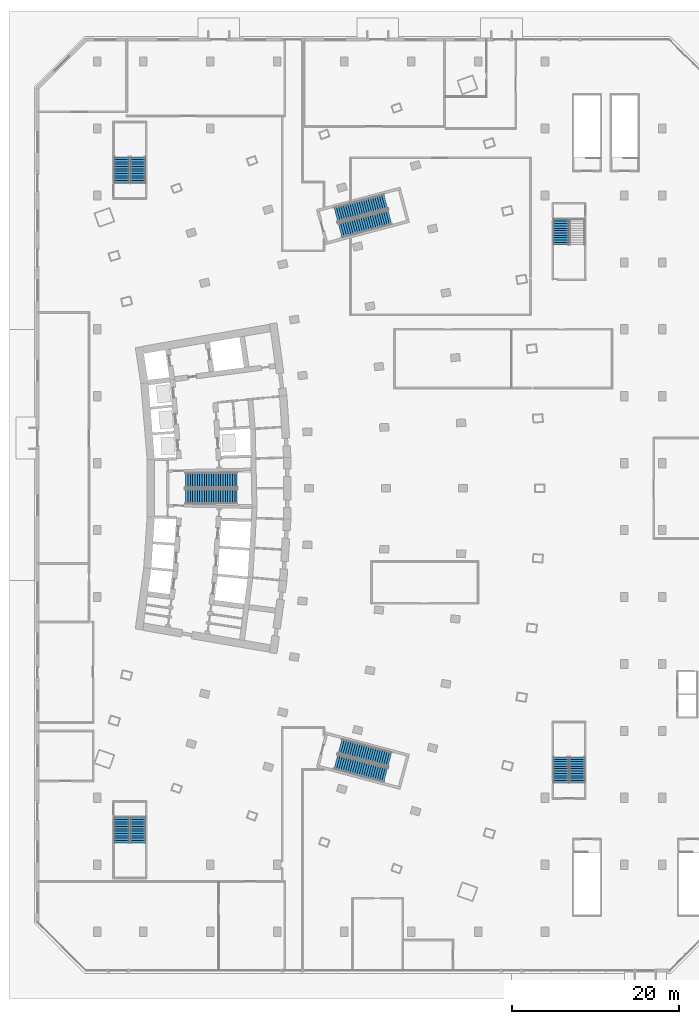
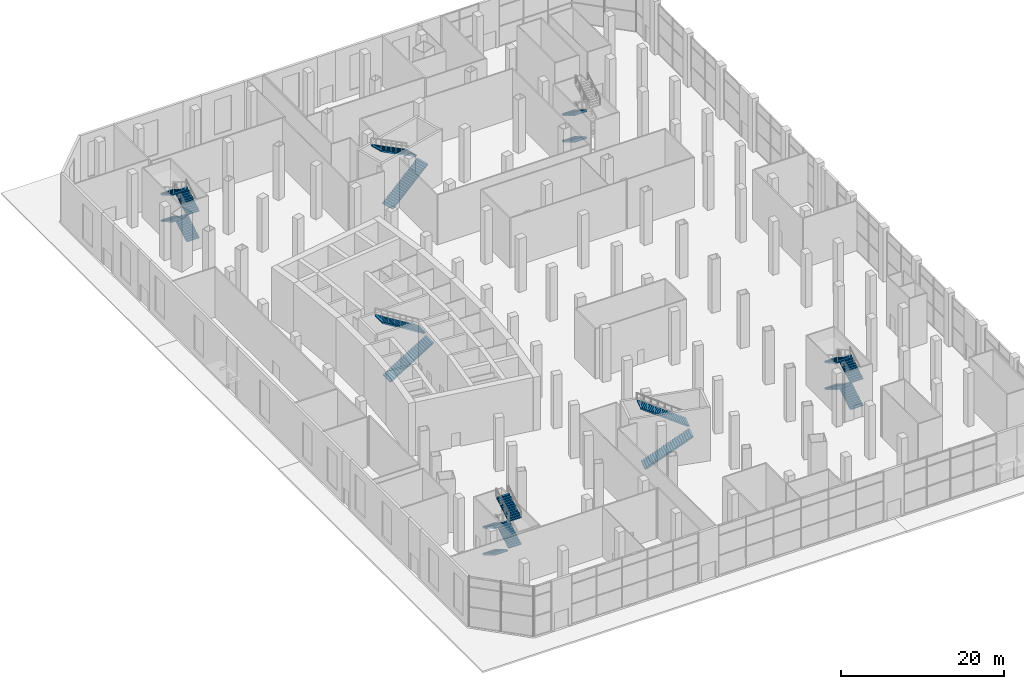
# One storey, part 21 of 33: 20 stair flights, 7 elements without a shape of their own.
"""IFC4 building model written with IfcOpenShell, lengths in metres."""

from ifc_helpers import new_model, si_unit, direction, frame, origin, place, context, subcontext, project, spatial, polyline, outline, extrude, material, layer, layer_set, type_object, element, aggregate, save


model = new_model("IFC4")

# Units and contexts
model_context = context("Model", 3, precision=1e-05, world=origin(), true_north=direction((0.0, 1.0)))
body_context = subcontext(model_context, "Body", "Model", "MODEL_VIEW")
ifc_project = project(units=[si_unit("LENGTHUNIT", "METRE"), si_unit("AREAUNIT", "SQUARE_METRE"), si_unit("VOLUMEUNIT", "CUBIC_METRE"), si_unit("PLANEANGLEUNIT", "RADIAN"), si_unit("MASSUNIT", "GRAM", prefix="KILO")], contexts=[model_context])

# Site, building, storey
site_placement = place(None, origin())
site = spatial("IfcSite", under=ifc_project, at=site_placement, CompositionType="ELEMENT")
building_placement = place(site_placement, origin())
building = spatial("IfcBuilding", under=site, at=building_placement, Name="Alderwake Tower", CompositionType="ELEMENT")
storey_placement = place(building_placement, origin())
storey = spatial("IfcBuildingStorey", under=building, at=storey_placement, Name="L00", CompositionType="ELEMENT", Elevation=0.0)

# Stair, stair flights
ifc_material_1 = material(Name="Concrete C40/50", Category="concrete")
stair_type_1 = type_object("IfcStairType", Name="Core exit stair", PredefinedType="HALF_TURN_STAIR", material=ifc_material_1)
stair_1_placement = place(storey_placement, origin())
stair_1 = element("IfcStair", 1, at=stair_1_placement, inside=storey, type_object=stair_type_1, Name="L00 Exit Stair B", PredefinedType="HALF_TURN_STAIR")
ifc_material_2 = material(Name="Concrete C40/50", Category="concrete")
ifc_layer = layer(ifc_material_2, 0.14990234375)
ifc_layer_set = layer_set([ifc_layer], Name="Core stair flight")
stair_flight_type = type_object("IfcStairFlightType", Name="Core stair flight", PredefinedType="STRAIGHT", material=ifc_layer_set)
stair_flight_1_placement = place(storey_placement, frame((21.0400390625, 60.02490234375, 0.0), z_axis=(0.0, 0.0, 1.0), x_axis=(1.0, 0.0, 0.0)))
stair_flight_1 = element("IfcStairFlight", 2, at=stair_flight_1_placement, type_object=stair_flight_type, Name="ST-B flight 1", NumberOfRisers=23, NumberOfTreads=22, PredefinedType="STRAIGHT", RiserHeight=0.173913043, TreadLength=0.28, context=body_context, shape_type="SweptSolid", body=[
    extrude(outline(polyline([(0.0, 0.0), (0.0, 0.173828125), (0.280029296875, 0.173828125), (0.280029296875, 0.347900390625), (0.56005859375, 0.347900390625), (0.56005859375, 0.521728515625), (0.840087890625, 0.521728515625), (0.840087890625, 0.695556640625), (1.1201171875, 0.695556640625), (1.1201171875, 0.86962890625), (1.39990234375, 0.86962890625), (1.39990234375, 1.04345703125), (1.679931640625, 1.04345703125), (1.679931640625, 1.21728515625), (1.9599609375, 1.21728515625), (1.9599609375, 1.391357421875), (2.239990234375, 1.391357421875), (2.239990234375, 1.565185546875), (2.52001953125, 1.565185546875), (2.52001953125, 1.739013671875), (2.800048828125, 1.739013671875), (2.800048828125, 1.9130859375), (3.080078125, 1.9130859375), (3.080078125, 2.0869140625), (3.360107421875, 2.0869140625), (3.360107421875, 2.260986328125), (3.639892578125, 2.260986328125), (3.639892578125, 2.434814453125), (3.919921875, 2.434814453125), (3.919921875, 2.608642578125), (4.199951171875, 2.608642578125), (4.199951171875, 2.78271484375), (4.47998046875, 2.78271484375), (4.47998046875, 2.95654296875), (4.760009765625, 2.95654296875), (4.760009765625, 3.13037109375), (5.0400390625, 3.13037109375), (5.0400390625, 3.304443359375), (5.320068359375, 3.304443359375), (5.320068359375, 3.478271484375), (5.60009765625, 3.478271484375), (5.60009765625, 3.652099609375), (5.8798828125, 3.652099609375), (5.8798828125, 3.826171875), (6.159912109375, 3.826171875), (6.159912109375, 4.0), (6.159912109375, 3.649658203125), (0.2841796875, 0.0), (0.0, 0.0)])), frame((0.0, 0.89990234375, 0.0), z_axis=(0.0, -1.0, 0.0), x_axis=(1.0, 0.0, 0.0)), (0.0, 0.0, 1.0), 1.800048828125),
])
stair_flight_2_placement = place(storey_placement, frame((27.199951171875, 61.97509765625, 4.0), z_axis=(0.0, 0.0, 1.0), x_axis=(-1.0, 0.0, 0.0)))
stair_flight_2 = element("IfcStairFlight", 3, at=stair_flight_2_placement, type_object=stair_flight_type, Name="ST-B flight 2", NumberOfRisers=23, NumberOfTreads=22, PredefinedType="STRAIGHT", RiserHeight=0.173913043, TreadLength=0.28, context=body_context, shape_type="SweptSolid", body=[
    extrude(outline(polyline([(0.0, 0.0), (0.0, 0.173828125), (0.280029296875, 0.173828125), (0.280029296875, 0.347900390625), (0.56005859375, 0.347900390625), (0.56005859375, 0.521728515625), (0.840087890625, 0.521728515625), (0.840087890625, 0.695556640625), (1.1201171875, 0.695556640625), (1.1201171875, 0.86962890625), (1.39990234375, 0.86962890625), (1.39990234375, 1.04345703125), (1.679931640625, 1.04345703125), (1.679931640625, 1.21728515625), (1.9599609375, 1.21728515625), (1.9599609375, 1.391357421875), (2.239990234375, 1.391357421875), (2.239990234375, 1.565185546875), (2.52001953125, 1.565185546875), (2.52001953125, 1.739013671875), (2.800048828125, 1.739013671875), (2.800048828125, 1.9130859375), (3.080078125, 1.9130859375), (3.080078125, 2.0869140625), (3.360107421875, 2.0869140625), (3.360107421875, 2.260986328125), (3.639892578125, 2.260986328125), (3.639892578125, 2.434814453125), (3.919921875, 2.434814453125), (3.919921875, 2.608642578125), (4.199951171875, 2.608642578125), (4.199951171875, 2.78271484375), (4.47998046875, 2.78271484375), (4.47998046875, 2.95654296875), (4.760009765625, 2.95654296875), (4.760009765625, 3.13037109375), (5.0400390625, 3.13037109375), (5.0400390625, 3.304443359375), (5.320068359375, 3.304443359375), (5.320068359375, 3.478271484375), (5.60009765625, 3.478271484375), (5.60009765625, 3.652099609375), (5.8798828125, 3.652099609375), (5.8798828125, 3.826171875), (6.159912109375, 3.826171875), (6.159912109375, 4.0), (6.159912109375, 3.649658203125), (0.2841796875, 0.0), (0.0, 0.0)])), frame((0.0, 0.89990234375, 0.0), z_axis=(0.0, -1.0, 0.0), x_axis=(1.0, 0.0, 0.0)), (0.0, 0.0, 1.0), 1.800048828125),
])
aggregate(stair_1, [stair_flight_1, stair_flight_2])

stair_2_placement = place(storey_placement, origin())
stair_2 = element("IfcStair", 4, at=stair_2_placement, inside=storey, type_object=stair_type_1, Name="L00 Exit Stair A", PredefinedType="HALF_TURN_STAIR")
stair_flight_3_placement = place(storey_placement, frame((39.512939453125, 91.823974609375, 0.0), z_axis=(0.0, 0.0, 1.0), x_axis=(0.966309627437, 0.257382407951, 0.0)))
stair_flight_3 = element("IfcStairFlight", 5, at=stair_flight_3_placement, type_object=stair_flight_type, Name="ST-A flight 1", NumberOfRisers=23, NumberOfTreads=22, PredefinedType="STRAIGHT", RiserHeight=0.173913043, TreadLength=0.28, context=body_context, shape_type="SweptSolid", body=[
    extrude(outline(polyline([(0.0, 0.0), (0.0, 0.173828125), (0.280029296875, 0.173828125), (0.280029296875, 0.347900390625), (0.56005859375, 0.347900390625), (0.56005859375, 0.521728515625), (0.840087890625, 0.521728515625), (0.840087890625, 0.695556640625), (1.1201171875, 0.695556640625), (1.1201171875, 0.86962890625), (1.39990234375, 0.86962890625), (1.39990234375, 1.04345703125), (1.679931640625, 1.04345703125), (1.679931640625, 1.21728515625), (1.9599609375, 1.21728515625), (1.9599609375, 1.391357421875), (2.239990234375, 1.391357421875), (2.239990234375, 1.565185546875), (2.52001953125, 1.565185546875), (2.52001953125, 1.739013671875), (2.800048828125, 1.739013671875), (2.800048828125, 1.9130859375), (3.080078125, 1.9130859375), (3.080078125, 2.0869140625), (3.360107421875, 2.0869140625), (3.360107421875, 2.260986328125), (3.639892578125, 2.260986328125), (3.639892578125, 2.434814453125), (3.919921875, 2.434814453125), (3.919921875, 2.608642578125), (4.199951171875, 2.608642578125), (4.199951171875, 2.78271484375), (4.47998046875, 2.78271484375), (4.47998046875, 2.95654296875), (4.760009765625, 2.95654296875), (4.760009765625, 3.13037109375), (5.0400390625, 3.13037109375), (5.0400390625, 3.304443359375), (5.320068359375, 3.304443359375), (5.320068359375, 3.478271484375), (5.60009765625, 3.478271484375), (5.60009765625, 3.652099609375), (5.8798828125, 3.652099609375), (5.8798828125, 3.826171875), (6.159912109375, 3.826171875), (6.159912109375, 4.0), (6.159912109375, 3.649658203125), (0.2841796875, 0.0), (0.0, 0.0)])), frame((0.0, 0.89990234375, 0.0), z_axis=(0.0, -1.0, 0.0), x_axis=(1.0, 0.0, 0.0)), (0.0, 0.0, 1.0), 1.800048828125),
])
stair_flight_4_placement = place(storey_placement, frame((44.96337890625, 95.293701171875, 4.0), z_axis=(0.0, 0.0, 1.0), x_axis=(-0.966309627437, -0.257382407951, 0.0)))
stair_flight_4 = element("IfcStairFlight", 6, at=stair_flight_4_placement, type_object=stair_flight_type, Name="ST-A flight 2", NumberOfRisers=23, NumberOfTreads=22, PredefinedType="STRAIGHT", RiserHeight=0.173913043, TreadLength=0.28, context=body_context, shape_type="SweptSolid", body=[
    extrude(outline(polyline([(0.0, 0.0), (0.0, 0.173828125), (0.280029296875, 0.173828125), (0.280029296875, 0.347900390625), (0.56005859375, 0.347900390625), (0.56005859375, 0.521728515625), (0.840087890625, 0.521728515625), (0.840087890625, 0.695556640625), (1.1201171875, 0.695556640625), (1.1201171875, 0.86962890625), (1.39990234375, 0.86962890625), (1.39990234375, 1.04345703125), (1.679931640625, 1.04345703125), (1.679931640625, 1.21728515625), (1.9599609375, 1.21728515625), (1.9599609375, 1.391357421875), (2.239990234375, 1.391357421875), (2.239990234375, 1.565185546875), (2.52001953125, 1.565185546875), (2.52001953125, 1.739013671875), (2.800048828125, 1.739013671875), (2.800048828125, 1.9130859375), (3.080078125, 1.9130859375), (3.080078125, 2.0869140625), (3.360107421875, 2.0869140625), (3.360107421875, 2.260986328125), (3.639892578125, 2.260986328125), (3.639892578125, 2.434814453125), (3.919921875, 2.434814453125), (3.919921875, 2.608642578125), (4.199951171875, 2.608642578125), (4.199951171875, 2.78271484375), (4.47998046875, 2.78271484375), (4.47998046875, 2.95654296875), (4.760009765625, 2.95654296875), (4.760009765625, 3.13037109375), (5.0400390625, 3.13037109375), (5.0400390625, 3.304443359375), (5.320068359375, 3.304443359375), (5.320068359375, 3.478271484375), (5.60009765625, 3.478271484375), (5.60009765625, 3.652099609375), (5.8798828125, 3.652099609375), (5.8798828125, 3.826171875), (6.159912109375, 3.826171875), (6.159912109375, 4.0), (6.159912109375, 3.649658203125), (0.2841796875, 0.0), (0.0, 0.0)])), frame((0.0, 0.89990234375, 0.0), z_axis=(0.0, -1.0, 0.0), x_axis=(1.0, 0.0, 0.0)), (0.0, 0.0, 1.0), 1.800048828125),
])
aggregate(stair_2, [stair_flight_3, stair_flight_4])

stair_3_placement = place(storey_placement, origin())
stair_3 = element("IfcStair", 7, at=stair_3_placement, inside=storey, type_object=stair_type_1, Name="L00 Exit Stair C", PredefinedType="HALF_TURN_STAIR")
stair_flight_5_placement = place(storey_placement, frame((39.010986328125, 28.291748046875, 0.0), z_axis=(0.0, 0.0, 1.0), x_axis=(0.966309627437, -0.257382407951, 0.0)))
stair_flight_5 = element("IfcStairFlight", 8, at=stair_flight_5_placement, type_object=stair_flight_type, Name="ST-C flight 1", NumberOfRisers=23, NumberOfTreads=22, PredefinedType="STRAIGHT", RiserHeight=0.173913043, TreadLength=0.28, context=body_context, shape_type="SweptSolid", body=[
    extrude(outline(polyline([(0.0, 0.0), (0.0, 0.173828125), (0.280029296875, 0.173828125), (0.280029296875, 0.347900390625), (0.56005859375, 0.347900390625), (0.56005859375, 0.521728515625), (0.840087890625, 0.521728515625), (0.840087890625, 0.695556640625), (1.1201171875, 0.695556640625), (1.1201171875, 0.86962890625), (1.39990234375, 0.86962890625), (1.39990234375, 1.04345703125), (1.679931640625, 1.04345703125), (1.679931640625, 1.21728515625), (1.9599609375, 1.21728515625), (1.9599609375, 1.391357421875), (2.239990234375, 1.391357421875), (2.239990234375, 1.565185546875), (2.52001953125, 1.565185546875), (2.52001953125, 1.739013671875), (2.800048828125, 1.739013671875), (2.800048828125, 1.9130859375), (3.080078125, 1.9130859375), (3.080078125, 2.0869140625), (3.360107421875, 2.0869140625), (3.360107421875, 2.260986328125), (3.639892578125, 2.260986328125), (3.639892578125, 2.434814453125), (3.919921875, 2.434814453125), (3.919921875, 2.608642578125), (4.199951171875, 2.608642578125), (4.199951171875, 2.78271484375), (4.47998046875, 2.78271484375), (4.47998046875, 2.95654296875), (4.760009765625, 2.95654296875), (4.760009765625, 3.13037109375), (5.0400390625, 3.13037109375), (5.0400390625, 3.304443359375), (5.320068359375, 3.304443359375), (5.320068359375, 3.478271484375), (5.60009765625, 3.478271484375), (5.60009765625, 3.652099609375), (5.8798828125, 3.652099609375), (5.8798828125, 3.826171875), (6.159912109375, 3.826171875), (6.159912109375, 4.0), (6.159912109375, 3.649658203125), (0.2841796875, 0.0), (0.0, 0.0)])), frame((0.0, 0.89990234375, 0.0), z_axis=(0.0, -1.0, 0.0), x_axis=(1.0, 0.0, 0.0)), (0.0, 0.0, 1.0), 1.800048828125),
])
stair_flight_6_placement = place(storey_placement, frame((45.46533203125, 28.590576171875, 4.0), z_axis=(0.0, 0.0, 1.0), x_axis=(-0.966309627437, 0.257382407951, 0.0)))
stair_flight_6 = element("IfcStairFlight", 9, at=stair_flight_6_placement, type_object=stair_flight_type, Name="ST-C flight 2", NumberOfRisers=23, NumberOfTreads=22, PredefinedType="STRAIGHT", RiserHeight=0.173913043, TreadLength=0.28, context=body_context, shape_type="SweptSolid", body=[
    extrude(outline(polyline([(0.0, 0.0), (0.0, 0.173828125), (0.280029296875, 0.173828125), (0.280029296875, 0.347900390625), (0.56005859375, 0.347900390625), (0.56005859375, 0.521728515625), (0.840087890625, 0.521728515625), (0.840087890625, 0.695556640625), (1.1201171875, 0.695556640625), (1.1201171875, 0.86962890625), (1.39990234375, 0.86962890625), (1.39990234375, 1.04345703125), (1.679931640625, 1.04345703125), (1.679931640625, 1.21728515625), (1.9599609375, 1.21728515625), (1.9599609375, 1.391357421875), (2.239990234375, 1.391357421875), (2.239990234375, 1.565185546875), (2.52001953125, 1.565185546875), (2.52001953125, 1.739013671875), (2.800048828125, 1.739013671875), (2.800048828125, 1.9130859375), (3.080078125, 1.9130859375), (3.080078125, 2.0869140625), (3.360107421875, 2.0869140625), (3.360107421875, 2.260986328125), (3.639892578125, 2.260986328125), (3.639892578125, 2.434814453125), (3.919921875, 2.434814453125), (3.919921875, 2.608642578125), (4.199951171875, 2.608642578125), (4.199951171875, 2.78271484375), (4.47998046875, 2.78271484375), (4.47998046875, 2.95654296875), (4.760009765625, 2.95654296875), (4.760009765625, 3.13037109375), (5.0400390625, 3.13037109375), (5.0400390625, 3.304443359375), (5.320068359375, 3.304443359375), (5.320068359375, 3.478271484375), (5.60009765625, 3.478271484375), (5.60009765625, 3.652099609375), (5.8798828125, 3.652099609375), (5.8798828125, 3.826171875), (6.159912109375, 3.826171875), (6.159912109375, 4.0), (6.159912109375, 3.649658203125), (0.2841796875, 0.0), (0.0, 0.0)])), frame((0.0, 0.89990234375, 0.0), z_axis=(0.0, -1.0, 0.0), x_axis=(1.0, 0.0, 0.0)), (0.0, 0.0, 1.0), 1.800048828125),
])
aggregate(stair_3, [stair_flight_5, stair_flight_6])

ifc_material_3 = material(Name="Concrete C40/50", Category="concrete")
stair_type_2 = type_object("IfcStairType", Name="Exit stair 1800 half-turn", PredefinedType="HALF_TURN_STAIR", material=ifc_material_3)
stair_4_placement = place(storey_placement, origin())
stair_4 = element("IfcStair", 10, at=stair_4_placement, inside=storey, type_object=stair_type_2, Name="L00 Podium stair P1", PredefinedType="HALF_TURN_STAIR")
stair_flight_7_placement = place(storey_placement, frame((13.39990234375, 21.699951171875, 0.0), z_axis=(0.0, 0.0, 1.0), x_axis=(0.0, -1.0, 0.0)))
stair_flight_7 = element("IfcStairFlight", 11, at=stair_flight_7_placement, type_object=stair_flight_type, Name="ST-P1 flight 1", NumberOfRisers=12, NumberOfTreads=11, PredefinedType="STRAIGHT", RiserHeight=0.166666667, TreadLength=0.28, context=body_context, shape_type="SweptSolid", body=[
    extrude(outline(polyline([(0.0, 0.0), (0.0, 0.166748046875), (0.280029296875, 0.166748046875), (0.280029296875, 0.333251953125), (0.56005859375, 0.333251953125), (0.56005859375, 0.5), (0.840087890625, 0.5), (0.840087890625, 0.666748046875), (1.1201171875, 0.666748046875), (1.1201171875, 0.833251953125), (1.39990234375, 0.833251953125), (1.39990234375, 1.0), (1.679931640625, 1.0), (1.679931640625, 1.166748046875), (1.9599609375, 1.166748046875), (1.9599609375, 1.333251953125), (2.239990234375, 1.333251953125), (2.239990234375, 1.5), (2.52001953125, 1.5), (2.52001953125, 1.666748046875), (2.800048828125, 1.666748046875), (2.800048828125, 1.833251953125), (3.080078125, 1.833251953125), (3.080078125, 2.0), (3.080078125, 1.658935546875), (0.29296875, 0.0), (0.0, 0.0)])), frame((0.0, 0.89990234375, 0.0), z_axis=(0.0, -1.0, 0.0), x_axis=(1.0, 0.0, 0.0)), (0.0, 0.0, 1.0), 1.800048828125),
])
stair_flight_8_placement = place(storey_placement, frame((15.35009765625, 18.6201171875, 2.0), z_axis=(0.0, 0.0, 1.0), x_axis=(0.0, 1.0, 0.0)))
stair_flight_8 = element("IfcStairFlight", 12, at=stair_flight_8_placement, type_object=stair_flight_type, Name="ST-P1 flight 2", NumberOfRisers=12, NumberOfTreads=11, PredefinedType="STRAIGHT", RiserHeight=0.166666667, TreadLength=0.28, context=body_context, shape_type="SweptSolid", body=[
    extrude(outline(polyline([(0.0, 0.0), (0.0, 0.166748046875), (0.280029296875, 0.166748046875), (0.280029296875, 0.333251953125), (0.56005859375, 0.333251953125), (0.56005859375, 0.5), (0.840087890625, 0.5), (0.840087890625, 0.666748046875), (1.1201171875, 0.666748046875), (1.1201171875, 0.833251953125), (1.39990234375, 0.833251953125), (1.39990234375, 1.0), (1.679931640625, 1.0), (1.679931640625, 1.166748046875), (1.9599609375, 1.166748046875), (1.9599609375, 1.333251953125), (2.239990234375, 1.333251953125), (2.239990234375, 1.5), (2.52001953125, 1.5), (2.52001953125, 1.666748046875), (2.800048828125, 1.666748046875), (2.800048828125, 1.833251953125), (3.080078125, 1.833251953125), (3.080078125, 2.0), (3.080078125, 1.658935546875), (0.29296875, 0.0), (0.0, 0.0)])), frame((0.0, 0.89990234375, 0.0), z_axis=(0.0, -1.0, 0.0), x_axis=(1.0, 0.0, 0.0)), (0.0, 0.0, 1.0), 1.800048828125),
])
stair_flight_9_placement = place(storey_placement, frame((13.39990234375, 21.699951171875, 4.0), z_axis=(0.0, 0.0, 1.0), x_axis=(0.0, -1.0, 0.0)))
stair_flight_9 = element("IfcStairFlight", 13, at=stair_flight_9_placement, type_object=stair_flight_type, Name="ST-P1 flight 3", NumberOfRisers=12, NumberOfTreads=11, PredefinedType="STRAIGHT", RiserHeight=0.166666667, TreadLength=0.28, context=body_context, shape_type="SweptSolid", body=[
    extrude(outline(polyline([(0.0, 0.0), (0.0, 0.166748046875), (0.280029296875, 0.166748046875), (0.280029296875, 0.333251953125), (0.56005859375, 0.333251953125), (0.56005859375, 0.5), (0.840087890625, 0.5), (0.840087890625, 0.666748046875), (1.1201171875, 0.666748046875), (1.1201171875, 0.833251953125), (1.39990234375, 0.833251953125), (1.39990234375, 1.0), (1.679931640625, 1.0), (1.679931640625, 1.166748046875), (1.9599609375, 1.166748046875), (1.9599609375, 1.333251953125), (2.239990234375, 1.333251953125), (2.239990234375, 1.5), (2.52001953125, 1.5), (2.52001953125, 1.666748046875), (2.800048828125, 1.666748046875), (2.800048828125, 1.833251953125), (3.080078125, 1.833251953125), (3.080078125, 2.0), (3.080078125, 1.658935546875), (0.29296875, 0.0), (0.0, 0.0)])), frame((0.0, 0.89990234375, 0.0), z_axis=(0.0, -1.0, 0.0), x_axis=(1.0, 0.0, 0.0)), (0.0, 0.0, 1.0), 1.800048828125),
])
stair_flight_10_placement = place(storey_placement, frame((15.35009765625, 18.6201171875, 6.0), z_axis=(0.0, 0.0, 1.0), x_axis=(0.0, 1.0, 0.0)))
stair_flight_10 = element("IfcStairFlight", 14, at=stair_flight_10_placement, type_object=stair_flight_type, Name="ST-P1 flight 4", NumberOfRisers=12, NumberOfTreads=11, PredefinedType="STRAIGHT", RiserHeight=0.166666667, TreadLength=0.28, context=body_context, shape_type="SweptSolid", body=[
    extrude(outline(polyline([(0.0, 0.0), (0.0, 0.166748046875), (0.280029296875, 0.166748046875), (0.280029296875, 0.333251953125), (0.56005859375, 0.333251953125), (0.56005859375, 0.5), (0.840087890625, 0.5), (0.840087890625, 0.666748046875), (1.1201171875, 0.666748046875), (1.1201171875, 0.833251953125), (1.39990234375, 0.833251953125), (1.39990234375, 1.0), (1.679931640625, 1.0), (1.679931640625, 1.166748046875), (1.9599609375, 1.166748046875), (1.9599609375, 1.333251953125), (2.239990234375, 1.333251953125), (2.239990234375, 1.5), (2.52001953125, 1.5), (2.52001953125, 1.666748046875), (2.800048828125, 1.666748046875), (2.800048828125, 1.833251953125), (3.080078125, 1.833251953125), (3.080078125, 2.0), (3.080078125, 1.658935546875), (0.29296875, 0.0), (0.0, 0.0)])), frame((0.0, 0.89990234375, 0.0), z_axis=(0.0, -1.0, 0.0), x_axis=(1.0, 0.0, 0.0)), (0.0, 0.0, 1.0), 1.800048828125),
])
aggregate(stair_4, [stair_flight_7, stair_flight_8, stair_flight_9, stair_flight_10])

stair_5_placement = place(storey_placement, origin())
stair_5 = element("IfcStair", 15, at=stair_5_placement, inside=storey, type_object=stair_type_2, Name="L00 Podium stair P2", PredefinedType="HALF_TURN_STAIR")
stair_flight_11_placement = place(storey_placement, frame((15.35009765625, 97.5, 0.0), z_axis=(0.0, 0.0, 1.0), x_axis=(0.0, 1.0, 0.0)))
stair_flight_11 = element("IfcStairFlight", 16, at=stair_flight_11_placement, type_object=stair_flight_type, Name="ST-P2 flight 1", NumberOfRisers=12, NumberOfTreads=11, PredefinedType="STRAIGHT", RiserHeight=0.166666667, TreadLength=0.28, context=body_context, shape_type="SweptSolid", body=[
    extrude(outline(polyline([(0.0, 0.0), (0.0, 0.166748046875), (0.280029296875, 0.166748046875), (0.280029296875, 0.333251953125), (0.56005859375, 0.333251953125), (0.56005859375, 0.5), (0.840087890625, 0.5), (0.840087890625, 0.666748046875), (1.1201171875, 0.666748046875), (1.1201171875, 0.833251953125), (1.39990234375, 0.833251953125), (1.39990234375, 1.0), (1.679931640625, 1.0), (1.679931640625, 1.166748046875), (1.9599609375, 1.166748046875), (1.9599609375, 1.333251953125), (2.239990234375, 1.333251953125), (2.239990234375, 1.5), (2.52001953125, 1.5), (2.52001953125, 1.666748046875), (2.800048828125, 1.666748046875), (2.800048828125, 1.833251953125), (3.080078125, 1.833251953125), (3.080078125, 2.0), (3.080078125, 1.658935546875), (0.29296875, 0.0), (0.0, 0.0)])), frame((0.0, 0.89990234375, 0.0), z_axis=(0.0, -1.0, 0.0), x_axis=(1.0, 0.0, 0.0)), (0.0, 0.0, 1.0), 1.800048828125),
])
stair_flight_12_placement = place(storey_placement, frame((13.39990234375, 100.580078125, 2.0), z_axis=(0.0, 0.0, 1.0), x_axis=(0.0, -1.0, 0.0)))
stair_flight_12 = element("IfcStairFlight", 17, at=stair_flight_12_placement, type_object=stair_flight_type, Name="ST-P2 flight 2", NumberOfRisers=12, NumberOfTreads=11, PredefinedType="STRAIGHT", RiserHeight=0.166666667, TreadLength=0.28, context=body_context, shape_type="SweptSolid", body=[
    extrude(outline(polyline([(0.0, 0.0), (0.0, 0.166748046875), (0.280029296875, 0.166748046875), (0.280029296875, 0.333251953125), (0.56005859375, 0.333251953125), (0.56005859375, 0.5), (0.840087890625, 0.5), (0.840087890625, 0.666748046875), (1.1201171875, 0.666748046875), (1.1201171875, 0.833251953125), (1.39990234375, 0.833251953125), (1.39990234375, 1.0), (1.679931640625, 1.0), (1.679931640625, 1.166748046875), (1.9599609375, 1.166748046875), (1.9599609375, 1.333251953125), (2.239990234375, 1.333251953125), (2.239990234375, 1.5), (2.52001953125, 1.5), (2.52001953125, 1.666748046875), (2.800048828125, 1.666748046875), (2.800048828125, 1.833251953125), (3.080078125, 1.833251953125), (3.080078125, 2.0), (3.080078125, 1.658935546875), (0.29296875, 0.0), (0.0, 0.0)])), frame((0.0, 0.89990234375, 0.0), z_axis=(0.0, -1.0, 0.0), x_axis=(1.0, 0.0, 0.0)), (0.0, 0.0, 1.0), 1.800048828125),
])
stair_flight_13_placement = place(storey_placement, frame((15.35009765625, 97.5, 4.0), z_axis=(0.0, 0.0, 1.0), x_axis=(0.0, 1.0, 0.0)))
stair_flight_13 = element("IfcStairFlight", 18, at=stair_flight_13_placement, type_object=stair_flight_type, Name="ST-P2 flight 3", NumberOfRisers=12, NumberOfTreads=11, PredefinedType="STRAIGHT", RiserHeight=0.166666667, TreadLength=0.28, context=body_context, shape_type="SweptSolid", body=[
    extrude(outline(polyline([(0.0, 0.0), (0.0, 0.166748046875), (0.280029296875, 0.166748046875), (0.280029296875, 0.333251953125), (0.56005859375, 0.333251953125), (0.56005859375, 0.5), (0.840087890625, 0.5), (0.840087890625, 0.666748046875), (1.1201171875, 0.666748046875), (1.1201171875, 0.833251953125), (1.39990234375, 0.833251953125), (1.39990234375, 1.0), (1.679931640625, 1.0), (1.679931640625, 1.166748046875), (1.9599609375, 1.166748046875), (1.9599609375, 1.333251953125), (2.239990234375, 1.333251953125), (2.239990234375, 1.5), (2.52001953125, 1.5), (2.52001953125, 1.666748046875), (2.800048828125, 1.666748046875), (2.800048828125, 1.833251953125), (3.080078125, 1.833251953125), (3.080078125, 2.0), (3.080078125, 1.658935546875), (0.29296875, 0.0), (0.0, 0.0)])), frame((0.0, 0.89990234375, 0.0), z_axis=(0.0, -1.0, 0.0), x_axis=(1.0, 0.0, 0.0)), (0.0, 0.0, 1.0), 1.800048828125),
])
stair_flight_14_placement = place(storey_placement, frame((13.39990234375, 100.580078125, 6.0), z_axis=(0.0, 0.0, 1.0), x_axis=(0.0, -1.0, 0.0)))
stair_flight_14 = element("IfcStairFlight", 19, at=stair_flight_14_placement, type_object=stair_flight_type, Name="ST-P2 flight 4", NumberOfRisers=12, NumberOfTreads=11, PredefinedType="STRAIGHT", RiserHeight=0.166666667, TreadLength=0.28, context=body_context, shape_type="SweptSolid", body=[
    extrude(outline(polyline([(0.0, 0.0), (0.0, 0.166748046875), (0.280029296875, 0.166748046875), (0.280029296875, 0.333251953125), (0.56005859375, 0.333251953125), (0.56005859375, 0.5), (0.840087890625, 0.5), (0.840087890625, 0.666748046875), (1.1201171875, 0.666748046875), (1.1201171875, 0.833251953125), (1.39990234375, 0.833251953125), (1.39990234375, 1.0), (1.679931640625, 1.0), (1.679931640625, 1.166748046875), (1.9599609375, 1.166748046875), (1.9599609375, 1.333251953125), (2.239990234375, 1.333251953125), (2.239990234375, 1.5), (2.52001953125, 1.5), (2.52001953125, 1.666748046875), (2.800048828125, 1.666748046875), (2.800048828125, 1.833251953125), (3.080078125, 1.833251953125), (3.080078125, 2.0), (3.080078125, 1.658935546875), (0.29296875, 0.0), (0.0, 0.0)])), frame((0.0, 0.89990234375, 0.0), z_axis=(0.0, -1.0, 0.0), x_axis=(1.0, 0.0, 0.0)), (0.0, 0.0, 1.0), 1.800048828125),
])
aggregate(stair_5, [stair_flight_11, stair_flight_12, stair_flight_13, stair_flight_14])

stair_6_placement = place(storey_placement, origin())
stair_6 = element("IfcStair", 20, at=stair_6_placement, inside=storey, type_object=stair_type_2, Name="L00 Podium stair P3", PredefinedType="HALF_TURN_STAIR")
stair_flight_15_placement = place(storey_placement, frame((65.89990234375, 93.199951171875, 0.0), z_axis=(0.0, 0.0, 1.0), x_axis=(0.0, -1.0, 0.0)))
stair_flight_15 = element("IfcStairFlight", 21, at=stair_flight_15_placement, type_object=stair_flight_type, Name="ST-P3 flight 1", NumberOfRisers=12, NumberOfTreads=11, PredefinedType="STRAIGHT", RiserHeight=0.166666667, TreadLength=0.28, context=body_context, shape_type="SweptSolid", body=[
    extrude(outline(polyline([(0.0, 0.0), (0.0, 0.166748046875), (0.280029296875, 0.166748046875), (0.280029296875, 0.333251953125), (0.56005859375, 0.333251953125), (0.56005859375, 0.5), (0.840087890625, 0.5), (0.840087890625, 0.666748046875), (1.1201171875, 0.666748046875), (1.1201171875, 0.833251953125), (1.39990234375, 0.833251953125), (1.39990234375, 1.0), (1.679931640625, 1.0), (1.679931640625, 1.166748046875), (1.9599609375, 1.166748046875), (1.9599609375, 1.333251953125), (2.239990234375, 1.333251953125), (2.239990234375, 1.5), (2.52001953125, 1.5), (2.52001953125, 1.666748046875), (2.800048828125, 1.666748046875), (2.800048828125, 1.833251953125), (3.080078125, 1.833251953125), (3.080078125, 2.0), (3.080078125, 1.658935546875), (0.29296875, 0.0), (0.0, 0.0)])), frame((0.0, 0.89990234375, 0.0), z_axis=(0.0, -1.0, 0.0), x_axis=(1.0, 0.0, 0.0)), (0.0, 0.0, 1.0), 1.800048828125),
])
stair_flight_16_placement = place(storey_placement, frame((65.89990234375, 93.199951171875, 4.0), z_axis=(0.0, 0.0, 1.0), x_axis=(0.0, -1.0, 0.0)))
stair_flight_16 = element("IfcStairFlight", 22, at=stair_flight_16_placement, type_object=stair_flight_type, Name="ST-P3 flight 3", NumberOfRisers=12, NumberOfTreads=11, PredefinedType="STRAIGHT", RiserHeight=0.166666667, TreadLength=0.28, context=body_context, shape_type="SweptSolid", body=[
    extrude(outline(polyline([(0.0, 0.0), (0.0, 0.166748046875), (0.280029296875, 0.166748046875), (0.280029296875, 0.333251953125), (0.56005859375, 0.333251953125), (0.56005859375, 0.5), (0.840087890625, 0.5), (0.840087890625, 0.666748046875), (1.1201171875, 0.666748046875), (1.1201171875, 0.833251953125), (1.39990234375, 0.833251953125), (1.39990234375, 1.0), (1.679931640625, 1.0), (1.679931640625, 1.166748046875), (1.9599609375, 1.166748046875), (1.9599609375, 1.333251953125), (2.239990234375, 1.333251953125), (2.239990234375, 1.5), (2.52001953125, 1.5), (2.52001953125, 1.666748046875), (2.800048828125, 1.666748046875), (2.800048828125, 1.833251953125), (3.080078125, 1.833251953125), (3.080078125, 2.0), (3.080078125, 1.658935546875), (0.29296875, 0.0), (0.0, 0.0)])), frame((0.0, 0.89990234375, 0.0), z_axis=(0.0, -1.0, 0.0), x_axis=(1.0, 0.0, 0.0)), (0.0, 0.0, 1.0), 1.800048828125),
])
aggregate(stair_6, [stair_flight_15, stair_flight_16])

stair_7_placement = place(storey_placement, origin())
stair_7 = element("IfcStair", 23, at=stair_7_placement, inside=storey, type_object=stair_type_2, Name="L00 Podium stair P4", PredefinedType="HALF_TURN_STAIR")
stair_flight_17_placement = place(storey_placement, frame((67.85009765625, 25.800048828125, 0.0), z_axis=(0.0, 0.0, 1.0), x_axis=(0.0, 1.0, 0.0)))
stair_flight_17 = element("IfcStairFlight", 24, at=stair_flight_17_placement, type_object=stair_flight_type, Name="ST-P4 flight 1", NumberOfRisers=12, NumberOfTreads=11, PredefinedType="STRAIGHT", RiserHeight=0.166666667, TreadLength=0.28, context=body_context, shape_type="SweptSolid", body=[
    extrude(outline(polyline([(0.0, 0.0), (0.0, 0.166748046875), (0.280029296875, 0.166748046875), (0.280029296875, 0.333251953125), (0.56005859375, 0.333251953125), (0.56005859375, 0.5), (0.840087890625, 0.5), (0.840087890625, 0.666748046875), (1.1201171875, 0.666748046875), (1.1201171875, 0.833251953125), (1.39990234375, 0.833251953125), (1.39990234375, 1.0), (1.679931640625, 1.0), (1.679931640625, 1.166748046875), (1.9599609375, 1.166748046875), (1.9599609375, 1.333251953125), (2.239990234375, 1.333251953125), (2.239990234375, 1.5), (2.52001953125, 1.5), (2.52001953125, 1.666748046875), (2.800048828125, 1.666748046875), (2.800048828125, 1.833251953125), (3.080078125, 1.833251953125), (3.080078125, 2.0), (3.080078125, 1.658935546875), (0.29296875, 0.0), (0.0, 0.0)])), frame((0.0, 0.89990234375, 0.0), z_axis=(0.0, -1.0, 0.0), x_axis=(1.0, 0.0, 0.0)), (0.0, 0.0, 1.0), 1.800048828125),
])
stair_flight_18_placement = place(storey_placement, frame((65.89990234375, 28.8798828125, 2.0), z_axis=(0.0, 0.0, 1.0), x_axis=(0.0, -1.0, 0.0)))
stair_flight_18 = element("IfcStairFlight", 25, at=stair_flight_18_placement, type_object=stair_flight_type, Name="ST-P4 flight 2", NumberOfRisers=12, NumberOfTreads=11, PredefinedType="STRAIGHT", RiserHeight=0.166666667, TreadLength=0.28, context=body_context, shape_type="SweptSolid", body=[
    extrude(outline(polyline([(0.0, 0.0), (0.0, 0.166748046875), (0.280029296875, 0.166748046875), (0.280029296875, 0.333251953125), (0.56005859375, 0.333251953125), (0.56005859375, 0.5), (0.840087890625, 0.5), (0.840087890625, 0.666748046875), (1.1201171875, 0.666748046875), (1.1201171875, 0.833251953125), (1.39990234375, 0.833251953125), (1.39990234375, 1.0), (1.679931640625, 1.0), (1.679931640625, 1.166748046875), (1.9599609375, 1.166748046875), (1.9599609375, 1.333251953125), (2.239990234375, 1.333251953125), (2.239990234375, 1.5), (2.52001953125, 1.5), (2.52001953125, 1.666748046875), (2.800048828125, 1.666748046875), (2.800048828125, 1.833251953125), (3.080078125, 1.833251953125), (3.080078125, 2.0), (3.080078125, 1.658935546875), (0.29296875, 0.0), (0.0, 0.0)])), frame((0.0, 0.89990234375, 0.0), z_axis=(0.0, -1.0, 0.0), x_axis=(1.0, 0.0, 0.0)), (0.0, 0.0, 1.0), 1.800048828125),
])
stair_flight_19_placement = place(storey_placement, frame((67.85009765625, 25.800048828125, 4.0), z_axis=(0.0, 0.0, 1.0), x_axis=(0.0, 1.0, 0.0)))
stair_flight_19 = element("IfcStairFlight", 26, at=stair_flight_19_placement, type_object=stair_flight_type, Name="ST-P4 flight 3", NumberOfRisers=12, NumberOfTreads=11, PredefinedType="STRAIGHT", RiserHeight=0.166666667, TreadLength=0.28, context=body_context, shape_type="SweptSolid", body=[
    extrude(outline(polyline([(0.0, 0.0), (0.0, 0.166748046875), (0.280029296875, 0.166748046875), (0.280029296875, 0.333251953125), (0.56005859375, 0.333251953125), (0.56005859375, 0.5), (0.840087890625, 0.5), (0.840087890625, 0.666748046875), (1.1201171875, 0.666748046875), (1.1201171875, 0.833251953125), (1.39990234375, 0.833251953125), (1.39990234375, 1.0), (1.679931640625, 1.0), (1.679931640625, 1.166748046875), (1.9599609375, 1.166748046875), (1.9599609375, 1.333251953125), (2.239990234375, 1.333251953125), (2.239990234375, 1.5), (2.52001953125, 1.5), (2.52001953125, 1.666748046875), (2.800048828125, 1.666748046875), (2.800048828125, 1.833251953125), (3.080078125, 1.833251953125), (3.080078125, 2.0), (3.080078125, 1.658935546875), (0.29296875, 0.0), (0.0, 0.0)])), frame((0.0, 0.89990234375, 0.0), z_axis=(0.0, -1.0, 0.0), x_axis=(1.0, 0.0, 0.0)), (0.0, 0.0, 1.0), 1.800048828125),
])
stair_flight_20_placement = place(storey_placement, frame((65.89990234375, 28.8798828125, 6.0), z_axis=(0.0, 0.0, 1.0), x_axis=(0.0, -1.0, 0.0)))
stair_flight_20 = element("IfcStairFlight", 27, at=stair_flight_20_placement, type_object=stair_flight_type, Name="ST-P4 flight 4", NumberOfRisers=12, NumberOfTreads=11, PredefinedType="STRAIGHT", RiserHeight=0.166666667, TreadLength=0.28, context=body_context, shape_type="SweptSolid", body=[
    extrude(outline(polyline([(0.0, 0.0), (0.0, 0.166748046875), (0.280029296875, 0.166748046875), (0.280029296875, 0.333251953125), (0.56005859375, 0.333251953125), (0.56005859375, 0.5), (0.840087890625, 0.5), (0.840087890625, 0.666748046875), (1.1201171875, 0.666748046875), (1.1201171875, 0.833251953125), (1.39990234375, 0.833251953125), (1.39990234375, 1.0), (1.679931640625, 1.0), (1.679931640625, 1.166748046875), (1.9599609375, 1.166748046875), (1.9599609375, 1.333251953125), (2.239990234375, 1.333251953125), (2.239990234375, 1.5), (2.52001953125, 1.5), (2.52001953125, 1.666748046875), (2.800048828125, 1.666748046875), (2.800048828125, 1.833251953125), (3.080078125, 1.833251953125), (3.080078125, 2.0), (3.080078125, 1.658935546875), (0.29296875, 0.0), (0.0, 0.0)])), frame((0.0, 0.89990234375, 0.0), z_axis=(0.0, -1.0, 0.0), x_axis=(1.0, 0.0, 0.0)), (0.0, 0.0, 1.0), 1.800048828125),
])
aggregate(stair_7, [stair_flight_17, stair_flight_18, stair_flight_19, stair_flight_20])

save(model, "model.ifc")
